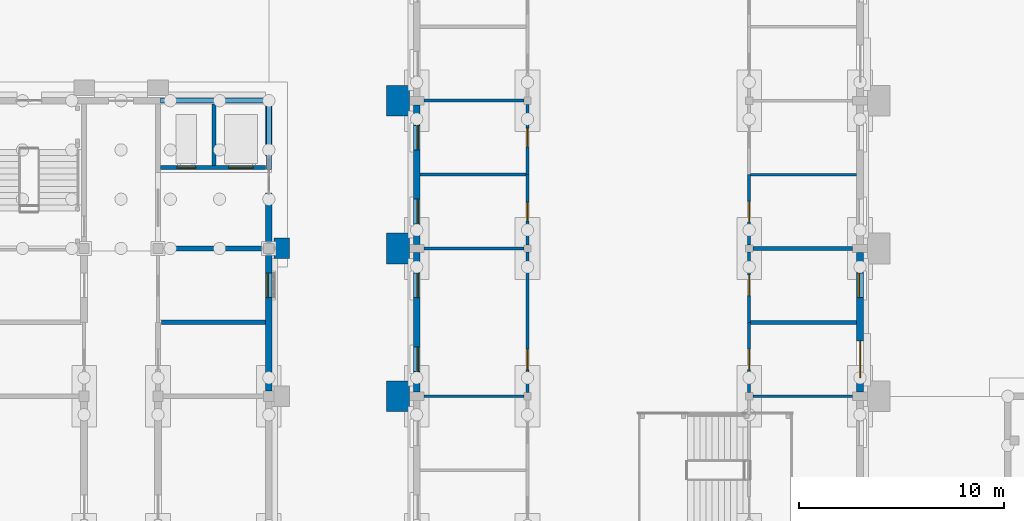
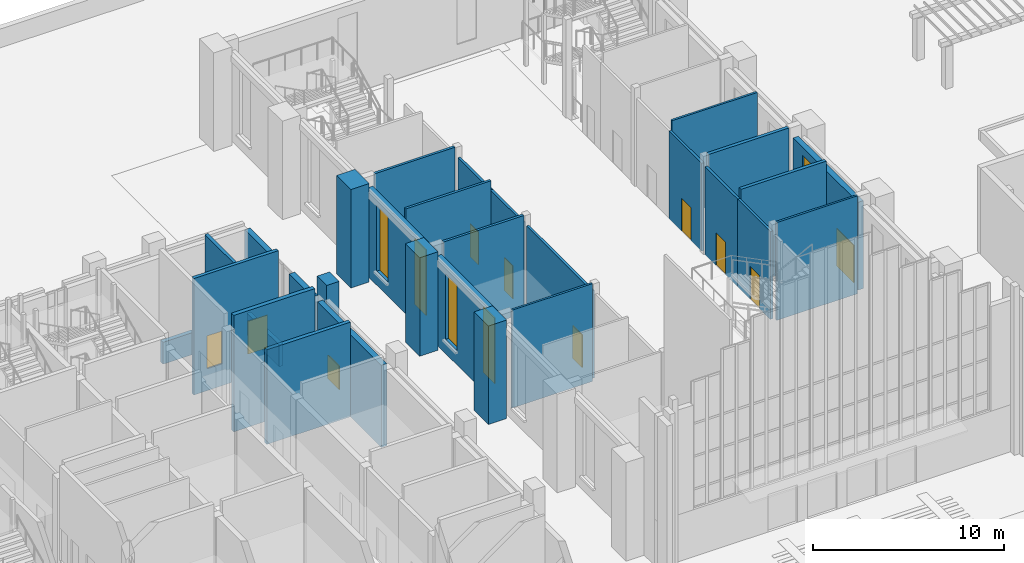
# One storey, part 37 of 84: 30 walls, 9 doors, 6 windows, 15 openings.
"""IFC4 building model written with IfcOpenShell, lengths in metres."""

import ifcopenshell
import ifcopenshell.guid

model = None  # the IFC model being written
_history = None  # IfcOwnerHistory: only IFC2X3 demands one
_inside = {}  # id of a spatial element -> (the spatial element, [elements in it])
_under = {}  # id of a project, library or spatial element -> (it, [spatial elements below it])
_declared = {}  # id of a project -> (the project, [libraries it declares])
_typed = {}  # id of a type object -> (the type object, [elements of that type])
_made_of = {}  # id of a material, layer set ... -> (it, [elements and type objects made of it])


def new_model(schema):
    """Start an empty IFC model of exactly this schema.

    Asked for "IFC4X3", IfcOpenShell would pick the latest addendum, in which some entities
    have other attributes; the version numbers below select the first issue.
    IFC2X3 requires an IfcOwnerHistory on every rooted entity: one is made here for all.
    """
    global model, _history
    if schema == "IFC4X3":
        model = ifcopenshell.file(schema_version=(4, 3, 0, 0))
    else:
        model = ifcopenshell.file(schema=schema)
    _inside.clear()
    _under.clear()
    _declared.clear()
    _typed.clear()
    _made_of.clear()
    _history = None
    if model.schema == "IFC2X3":
        org = make("IfcOrganization", Name="unknown")
        user = make(
            "IfcPersonAndOrganization",
            ThePerson=make("IfcPerson", FamilyName="unknown"),
            TheOrganization=org,
        )
        app = make(
            "IfcApplication",
            ApplicationDeveloper=org,
            Version="unknown",
            ApplicationFullName="unknown",
            ApplicationIdentifier="unknown",
        )
        _history = make(
            "IfcOwnerHistory",
            OwningUser=user,
            OwningApplication=app,
            ChangeAction="ADDED",
            CreationDate=0,
        )
    return model


def make(cls, **values):
    """One entity of the class cls with the attributes given. An attribute that is None is left unset."""
    return model.create_entity(
        cls, **{name: value for name, value in values.items() if value is not None}
    )


def rooted(cls, **values):
    """An entity with a GlobalId (a new one), such as an element, a storey or a relation."""
    return make(cls, GlobalId=ifcopenshell.guid.new(), OwnerHistory=_history, **values)


def si_unit(unit_type, name, prefix=None):
    """IfcSIUnit, for example si_unit("LENGTHUNIT", "METRE", prefix="MILLI")."""
    return make("IfcSIUnit", UnitType=unit_type, Prefix=prefix, Name=name)


def assignment(units):
    """IfcUnitAssignment: the units of a project."""
    return None if units is None else make("IfcUnitAssignment", Units=units)


def point(xyz):
    """IfcCartesianPoint."""
    return None if xyz is None else make("IfcCartesianPoint", Coordinates=xyz)


def direction(xyz):
    """IfcDirection."""
    return None if xyz is None else make("IfcDirection", DirectionRatios=xyz)


def frame(location, z_axis=None, x_axis=None):
    """IfcAxis2Placement3D, a coordinate frame: its origin and axes. An axis left out is left unset."""
    return make(
        "IfcAxis2Placement3D",
        Location=point(location),
        Axis=direction(z_axis),
        RefDirection=direction(x_axis),
    )


def frame_2d(location, x_axis=None):
    """IfcAxis2Placement2D, a coordinate frame in the plane: its origin and x axis."""
    return make(
        "IfcAxis2Placement2D", Location=point(location), RefDirection=direction(x_axis)
    )


def origin():
    """The frame at (0, 0, 0) with its axes left unset."""
    return frame((0.0, 0.0, 0.0))


def place(relative_to, where):
    """IfcLocalPlacement: puts the frame where relative to a parent placement (None: the world)."""
    return make(
        "IfcLocalPlacement", PlacementRelTo=relative_to, RelativePlacement=where
    )


def context(
    kind, dimensions, precision=None, world=None, true_north=None, identifier=None
):
    """IfcGeometricRepresentationContext, for example the 3D "Model" context."""
    return make(
        "IfcGeometricRepresentationContext",
        ContextIdentifier=identifier,
        ContextType=kind,
        CoordinateSpaceDimension=dimensions,
        Precision=precision,
        WorldCoordinateSystem=world,
        TrueNorth=true_north,
    )


def subcontext(parent, identifier, kind, view, scale=None):
    """IfcGeometricRepresentationSubContext, for example "Body" below "Model"."""
    return make(
        "IfcGeometricRepresentationSubContext",
        ContextIdentifier=identifier,
        ContextType=kind,
        ParentContext=parent,
        TargetScale=scale,
        TargetView=view,
    )


def project(units=None, contexts=None):
    """IfcProject with its units and contexts."""
    return rooted(
        "IfcProject",
        Name="project",
        RepresentationContexts=contexts,
        UnitsInContext=assignment(units),
    )


def spatial(cls, under=None, at=None, **own):
    """A site, building, storey or space (cls), placed at a placement, below another one or the project."""
    s = rooted(cls, ObjectPlacement=at, **own)
    if under is not None:
        _under.setdefault(under.id(), (under, []))[1].append(s)
    return s


def profile(cls, at=None, kind="AREA", **sizes):
    """A parametric profile (cls). Its sizes go by their IFC names, for example OverallWidth=200.0."""
    return make(cls, ProfileType=kind, Position=at, **sizes)


def rectangle(**sizes):
    """IfcRectangleProfileDef."""
    return profile("IfcRectangleProfileDef", **sizes)


def extrude(swept, where, along, depth):
    """IfcExtrudedAreaSolid: the profile swept, set in the frame where, extruded along a direction by depth."""
    return make(
        "IfcExtrudedAreaSolid",
        SweptArea=swept,
        Position=where,
        ExtrudedDirection=direction(along),
        Depth=depth,
    )


def shape(context_of_items, identifier, shape_type, items):
    """IfcShapeRepresentation: the items that make up one representation, for example the "Body"."""
    return make(
        "IfcShapeRepresentation",
        ContextOfItems=context_of_items,
        RepresentationIdentifier=identifier,
        RepresentationType=shape_type,
        Items=items,
    )


def material(Name=None, Category=None):
    """IfcMaterial."""
    return make("IfcMaterial", Name=Name, Category=Category)


def layer(
    of_material, thickness, ventilated=None, Name=None, Category=None, Priority=None
):
    """IfcMaterialLayer: one layer of a wall or slab, of a material (None: an air gap)."""
    return make(
        "IfcMaterialLayer",
        Material=of_material,
        LayerThickness=thickness,
        IsVentilated=ventilated,
        Name=Name,
        Category=Category,
        Priority=Priority,
    )


def layer_set(layers, Name=None):
    """IfcMaterialLayerSet."""
    return make("IfcMaterialLayerSet", MaterialLayers=layers, LayerSetName=Name)


def made_of(thing, what):
    """Note that an element or type object is made of a material, layer set ...; save() writes the relation."""
    if what is not None:
        _made_of.setdefault(what.id(), (what, []))[1].append(thing)
    return thing


def type_object(cls, material=None, **own):
    """A type object (cls), such as IfcWallType, which elements share."""
    return made_of(rooted(cls, **own), material)


def element(
    cls,
    number,
    at=None,
    inside=None,
    cuts=None,
    type_object=None,
    material=None,
    context=None,
    identifier="Body",
    shape_type=None,
    held_by="IfcProductDefinitionShape",
    body=None,
    shapes=None,
    **own,
):
    """One element of the class cls, such as IfcWall. Its Tag is "e" and its number.

    at: its placement. inside: the storey or other place that contains it. cuts: it is an
    opening in that element (IfcRelVoidsElement). A single representation is given by context,
    identifier, shape_type and body (its items); several are given by shapes. held_by: the class
    of the entity that holds the representations. save() writes the other relations.
    """
    e = rooted(cls, Tag="e%d" % number, ObjectPlacement=at, **own)
    if body is not None:
        shapes = [shape(context, identifier, shape_type, body)]
    if shapes is not None:
        e.Representation = make(held_by, Representations=shapes)
    if inside is not None:
        _inside.setdefault(inside.id(), (inside, []))[1].append(e)
    if cuts is not None:
        rooted(
            "IfcRelVoidsElement", RelatingBuildingElement=cuts, RelatedOpeningElement=e
        )
    if type_object is not None:
        _typed.setdefault(type_object.id(), (type_object, []))[1].append(e)
    return made_of(e, material)


def fill(opening, filler):
    """IfcRelFillsElement: the door or window that sits in an opening."""
    return rooted(
        "IfcRelFillsElement",
        RelatingOpeningElement=opening,
        RelatedBuildingElement=filler,
    )


def aggregate(whole, parts):
    """IfcRelAggregates: a whole, such as a stair, and the parts it consists of."""
    return rooted("IfcRelAggregates", RelatingObject=whole, RelatedObjects=parts)


def save(model, path):
    """Write the relations noted so far, then the file.

    IfcRelAggregates (storeys below a building ...), IfcRelContainedInSpatialStructure (elements
    in a storey), IfcRelDefinesByType, IfcRelAssociatesMaterial and IfcRelDeclares: one each for
    every whole, place, type object, material and project.
    """
    for whole, parts in _under.values():
        aggregate(whole, parts)
    for where, things in _inside.values():
        rooted(
            "IfcRelContainedInSpatialStructure",
            RelatedElements=things,
            RelatingStructure=where,
        )
    for kind, things in _typed.values():
        rooted("IfcRelDefinesByType", RelatedObjects=things, RelatingType=kind)
    for what, things in _made_of.values():
        rooted("IfcRelAssociatesMaterial", RelatedObjects=things, RelatingMaterial=what)
    for by, libraries in _declared.values():
        rooted("IfcRelDeclares", RelatingContext=by, RelatedDefinitions=libraries)
    model.write(path)


model = new_model("IFC4")

# Units and contexts
model_context = context("Model", 3, precision=1e-05, world=origin(), true_north=direction((0.0, 1.0)))
body_context = subcontext(model_context, "Body", "Model", "MODEL_VIEW")
ifc_project = project(units=[si_unit("LENGTHUNIT", "METRE"), si_unit("AREAUNIT", "SQUARE_METRE"), si_unit("VOLUMEUNIT", "CUBIC_METRE"), si_unit("PLANEANGLEUNIT", "RADIAN"), si_unit("MASSUNIT", "GRAM", prefix="KILO")], contexts=[model_context])

# Site, building, storey
site_placement = place(None, origin())
site = spatial("IfcSite", under=ifc_project, at=site_placement, CompositionType="ELEMENT")
building_placement = place(site_placement, origin())
building = spatial("IfcBuilding", under=site, at=building_placement, Name="Mazhai Court Health Centre", CompositionType="ELEMENT")
storey_placement = place(building_placement, origin())
storey = spatial("IfcBuildingStorey", under=building, at=storey_placement, Name="L00", CompositionType="ELEMENT", Elevation=0.0)

# Walls
ifc_material_1 = material(Name="Clay brick masonry", Category="masonry")
ifc_layer_1 = layer(ifc_material_1, 1.10009765625)
ifc_layer_set_1 = layer_set([ifc_layer_1], Name="BRICK BUTTRESS PIER 1100")
wall_type_1 = type_object("IfcWallType", Name="BRICK BUTTRESS PIER 1100", PredefinedType="SOLIDWALL", material=ifc_layer_set_1)
for number, where, z_axis, x_axis, name in (
    (1, (41.2900390625, 27.050048828125, 0.0), (0.0, 0.0, 1.0), (0.0, 1.0, 0.0), "EP-V1-L00-W2"),
    (2, (41.2900390625, 34.25, 0.0), (0.0, 0.0, 1.0), (0.0, 1.0, 0.0), "EP-V1-L00-W3"),
    (3, (41.2900390625, 41.449951171875, 0.0), (0.0, 0.0, 1.0), (0.0, 1.0, 0.0), "EP-V1-L00-W4"),
):
    element("IfcWall", number, at=place(storey_placement, frame(where, z_axis=z_axis, x_axis=x_axis)), inside=storey, type_object=wall_type_1, Name=name, PredefinedType="SOLIDWALL", context=body_context, shape_type="SweptSolid", body=[
        extrude(rectangle(XDim=1.5, YDim=1.10009765625, at=frame_2d((0.75, 0.0))), origin(), (0.0, 0.0, 1.0), 6.300048828125),
    ])
ifc_material_2 = material(Name="Clay brick masonry", Category="masonry")
ifc_layer_2 = layer(ifc_material_2, 0.75)
ifc_layer_set_2 = layer_set([ifc_layer_2], Name="BRICK PIER 750")
wall_type_2 = type_object("IfcWallType", Name="BRICK PIER 750", PredefinedType="SOLIDWALL", material=ifc_layer_set_2)
wall_1_placement = place(storey_placement, frame((35.625, 35.5, 0.0), z_axis=(0.0, 0.0, 1.0), x_axis=(0.0, -1.0, 0.0)))
element("IfcWall", 4, at=wall_1_placement, inside=storey, type_object=wall_type_2, Name="EP-V5-L00-B4", PredefinedType="SOLIDWALL", context=body_context, shape_type="SweptSolid", body=[
    extrude(rectangle(XDim=1.0, YDim=0.75, at=frame_2d((0.5, 0.0))), origin(), (0.0, 0.0, 1.0), 6.300048828125),
])
ifc_material_3 = material(Name="Clay brick masonry", Category="masonry")
ifc_layer_3 = layer(ifc_material_3, 0.22998046875)
ifc_layer_set_3 = layer_set([ifc_layer_3], Name="BRICK WALL 230 SHIELDING EI120")
wall_type_3 = type_object("IfcWallType", Name="BRICK WALL 230 SHIELDING EI120", PredefinedType="SOLIDWALL", material=ifc_layer_set_3)
wall_2_placement = place(storey_placement, frame((34.8349609375, 31.39990234375, 0.0), z_axis=(0.0, 0.0, 1.0), x_axis=(-1.0, 0.0, 0.0)))
element("IfcWall", 5, at=wall_2_placement, inside=storey, type_object=wall_type_3, Name="wall-V5-L00-B0-cross-4a", PredefinedType="SOLIDWALL", context=body_context, shape_type="SweptSolid", body=[
    extrude(rectangle(XDim=5.06005859375, YDim=0.22998046875, at=frame_2d((2.530029296875, 0.0))), origin(), (0.0, 0.0, 1.0), 6.050048828125),
])

# Wall, opening, window
ifc_material_4 = material(Name="Clay brick masonry", Category="masonry")
ifc_layer_4 = layer(ifc_material_4, 0.330078125)
ifc_layer_set_4 = layer_set([ifc_layer_4], Name="BRICK WALL 330 EXTERNAL")
wall_type_4 = type_object("IfcWallType", Name="BRICK WALL 330 EXTERNAL", PredefinedType="SOLIDWALL", material=ifc_layer_set_4)
wall_3_placement = place(storey_placement, frame((35.0, 34.75, 0.0), z_axis=(0.0, 0.0, 1.0), x_axis=(0.0, -1.0, 0.0)))
wall_3 = element("IfcWall", 6, at=wall_3_placement, inside=storey, type_object=wall_type_4, Name="EW-V5-L00-B3p0", PredefinedType="SOLIDWALL", context=body_context, shape_type="SweptSolid", body=[
    extrude(rectangle(XDim=6.699951171875, YDim=0.330078125, at=frame_2d((3.35009765625, 0.0))), origin(), (0.0, 0.0, 1.0), 5.25),
])
opening_1_placement = place(wall_3_placement, frame((0.949951171875, 0.0, 0.89990234375)))
opening_1 = element("IfcOpeningElement", 7, at=opening_1_placement, cuts=wall_3, Name="Opening W12", PredefinedType="OPENING", context=body_context, shape_type="SweptSolid", body=[
    extrude(rectangle(XDim=1.199951171875, YDim=1.5, at=frame_2d((0.60009765625, 0.75))), frame((0.0, 0.175048828125, 0.0), z_axis=(0.0, -1.0, 0.0), x_axis=(1.0, 0.0, 0.0)), (0.0, 0.0, 1.0), 0.35009765625),
])
ifc_material_5 = material(Name="Teak timber frame, glazed", Category="wood")
window_type_1 = type_object("IfcWindowType", Name="WINDOW OFFICE 1200x1500", PartitioningType="SINGLE_PANEL", PredefinedType="WINDOW", material=ifc_material_5)
window_1_placement = place(opening_1_placement, origin())
window_1 = element("IfcWindow", 8, at=window_1_placement, inside=storey, type_object=window_type_1, Name="W12 WN-V5-L00-B31", OverallHeight=1.5, OverallWidth=1.199951171875, PartitioningType="SINGLE_PANEL", PredefinedType="WINDOW", context=body_context, shape_type="SweptSolid", body=[
    extrude(rectangle(XDim=1.199951171875, YDim=1.5, at=frame_2d((0.60009765625, 0.75))), frame((0.0, -0.030029296875, 0.0), z_axis=(0.0, -1.0, 0.0), x_axis=(1.0, 0.0, 0.0)), (0.0, 0.0, 1.0), 0.06005859375),
])
fill(opening_1, window_1)

# Walls
wall_4_placement = place(storey_placement, frame((35.0, 37.699951171875, 0.0), z_axis=(0.0, 0.0, 1.0), x_axis=(0.0, -1.0, 0.0)))
element("IfcWall", 9, at=wall_4_placement, inside=storey, type_object=wall_type_4, Name="EW-V5-L00-B4a", PredefinedType="SOLIDWALL", context=body_context, shape_type="SweptSolid", body=[
    extrude(rectangle(XDim=2.449951171875, YDim=0.330078125, at=frame_2d((1.22509765625, 0.0))), origin(), (0.0, 0.0, 1.0), 5.25),
])
wall_5_placement = place(storey_placement, frame((35.0, 42.364990234375, 0.0), z_axis=(0.0, 0.0, 1.0), x_axis=(0.0, -1.0, 0.0)))
element("IfcWall", 10, at=wall_5_placement, inside=storey, type_object=wall_type_4, Name="EW-V5-L00-B4b", PredefinedType="SOLIDWALL", context=body_context, shape_type="SweptSolid", body=[
    extrude(rectangle(XDim=2.864990234375, YDim=0.330078125, at=frame_2d((1.4326171875, 0.0))), origin(), (0.0, 0.0, 1.0), 5.25),
])

# Wall, openings, windows
wall_6_placement = place(storey_placement, frame((42.199951171875, 28.0, 0.0), z_axis=(0.0, 0.0, 1.0), x_axis=(0.0, 1.0, 0.0)))
wall_6 = element("IfcWall", 11, at=wall_6_placement, inside=storey, type_object=wall_type_4, Name="EW-V1-L00-W2", PredefinedType="SOLIDWALL", context=body_context, shape_type="SweptSolid", body=[
    extrude(rectangle(XDim=6.800048828125, YDim=0.330078125, at=frame_2d((3.39990234375, 0.0))), origin(), (0.0, 0.0, 1.0), 5.6201171875),
])
opening_2_placement = place(wall_6_placement, frame((1.0, 0.0, 0.89990234375)))
opening_2 = element("IfcOpeningElement", 12, at=opening_2_placement, cuts=wall_6, Name="Opening W3", PredefinedType="OPENING", context=body_context, shape_type="SweptSolid", body=[
    extrude(rectangle(XDim=1.199951171875, YDim=4.199951171875, at=frame_2d((0.60009765625, 2.10009765625))), frame((0.0, 0.175048828125, 0.0), z_axis=(0.0, -1.0, 0.0), x_axis=(1.0, 0.0, 0.0)), (0.0, 0.0, 1.0), 0.35009765625),
])
opening_3_placement = place(wall_6_placement, frame((4.60009765625, 0.0, 0.89990234375)))
opening_3 = element("IfcOpeningElement", 13, at=opening_3_placement, cuts=wall_6, Name="Opening W3", PredefinedType="OPENING", context=body_context, shape_type="SweptSolid", body=[
    extrude(rectangle(XDim=1.199951171875, YDim=4.199951171875, at=frame_2d((0.60009765625, 2.10009765625))), frame((0.0, 0.175048828125, 0.0), z_axis=(0.0, -1.0, 0.0), x_axis=(1.0, 0.0, 0.0)), (0.0, 0.0, 1.0), 0.35009765625),
])
ifc_material_6 = material(Name="Teak timber frame, glazed", Category="wood")
window_type_2 = type_object("IfcWindowType", Name="WINDOW HALL 1200x4200", PartitioningType="SINGLE_PANEL", PredefinedType="WINDOW", material=ifc_material_6)
window_2_placement = place(opening_2_placement, origin())
window_2 = element("IfcWindow", 14, at=window_2_placement, inside=storey, type_object=window_type_2, Name="W3 WN-V1-L00-W2a", OverallHeight=4.199951171875, OverallWidth=1.199951171875, PartitioningType="SINGLE_PANEL", PredefinedType="WINDOW", context=body_context, shape_type="SweptSolid", body=[
    extrude(rectangle(XDim=1.199951171875, YDim=4.199951171875, at=frame_2d((0.60009765625, 2.10009765625))), frame((0.0, -0.030029296875, 0.0), z_axis=(0.0, -1.0, 0.0), x_axis=(1.0, 0.0, 0.0)), (0.0, 0.0, 1.0), 0.06005859375),
])
fill(opening_2, window_2)
window_3_placement = place(opening_3_placement, origin())
window_3 = element("IfcWindow", 15, at=window_3_placement, inside=storey, type_object=window_type_2, Name="W3 WN-V1-L00-W2b", OverallHeight=4.199951171875, OverallWidth=1.199951171875, PartitioningType="SINGLE_PANEL", PredefinedType="WINDOW", context=body_context, shape_type="SweptSolid", body=[
    extrude(rectangle(XDim=1.199951171875, YDim=4.199951171875, at=frame_2d((0.60009765625, 2.10009765625))), frame((0.0, -0.030029296875, 0.0), z_axis=(0.0, -1.0, 0.0), x_axis=(1.0, 0.0, 0.0)), (0.0, 0.0, 1.0), 0.06005859375),
])
fill(opening_3, window_3)

wall_7_placement = place(storey_placement, frame((42.199951171875, 35.199951171875, 0.0), z_axis=(0.0, 0.0, 1.0), x_axis=(0.0, 1.0, 0.0)))
wall_7 = element("IfcWall", 16, at=wall_7_placement, inside=storey, type_object=wall_type_4, Name="EW-V1-L00-W3", PredefinedType="SOLIDWALL", context=body_context, shape_type="SweptSolid", body=[
    extrude(rectangle(XDim=6.800048828125, YDim=0.330078125, at=frame_2d((3.39990234375, 0.0))), origin(), (0.0, 0.0, 1.0), 5.6201171875),
])
opening_4_placement = place(wall_7_placement, frame((1.0, 0.0, 0.89990234375)))
opening_4 = element("IfcOpeningElement", 17, at=opening_4_placement, cuts=wall_7, Name="Opening W3", PredefinedType="OPENING", context=body_context, shape_type="SweptSolid", body=[
    extrude(rectangle(XDim=1.199951171875, YDim=4.199951171875, at=frame_2d((0.60009765625, 2.10009765625))), frame((0.0, 0.175048828125, 0.0), z_axis=(0.0, -1.0, 0.0), x_axis=(1.0, 0.0, 0.0)), (0.0, 0.0, 1.0), 0.35009765625),
])
opening_5_placement = place(wall_7_placement, frame((4.60009765625, 0.0, 0.89990234375)))
opening_5 = element("IfcOpeningElement", 18, at=opening_5_placement, cuts=wall_7, Name="Opening W3", PredefinedType="OPENING", context=body_context, shape_type="SweptSolid", body=[
    extrude(rectangle(XDim=1.199951171875, YDim=4.199951171875, at=frame_2d((0.60009765625, 2.10009765625))), frame((0.0, 0.175048828125, 0.0), z_axis=(0.0, -1.0, 0.0), x_axis=(1.0, 0.0, 0.0)), (0.0, 0.0, 1.0), 0.35009765625),
])
window_4_placement = place(opening_4_placement, origin())
window_4 = element("IfcWindow", 19, at=window_4_placement, inside=storey, type_object=window_type_2, Name="W3 WN-V1-L00-W3a", OverallHeight=4.199951171875, OverallWidth=1.199951171875, PartitioningType="SINGLE_PANEL", PredefinedType="WINDOW", context=body_context, shape_type="SweptSolid", body=[
    extrude(rectangle(XDim=1.199951171875, YDim=4.199951171875, at=frame_2d((0.60009765625, 2.10009765625))), frame((0.0, -0.030029296875, 0.0), z_axis=(0.0, -1.0, 0.0), x_axis=(1.0, 0.0, 0.0)), (0.0, 0.0, 1.0), 0.06005859375),
])
fill(opening_4, window_4)
window_5_placement = place(opening_5_placement, origin())
window_5 = element("IfcWindow", 20, at=window_5_placement, inside=storey, type_object=window_type_2, Name="W3 WN-V1-L00-W3b", OverallHeight=4.199951171875, OverallWidth=1.199951171875, PartitioningType="SINGLE_PANEL", PredefinedType="WINDOW", context=body_context, shape_type="SweptSolid", body=[
    extrude(rectangle(XDim=1.199951171875, YDim=4.199951171875, at=frame_2d((0.60009765625, 2.10009765625))), frame((0.0, -0.030029296875, 0.0), z_axis=(0.0, -1.0, 0.0), x_axis=(1.0, 0.0, 0.0)), (0.0, 0.0, 1.0), 0.06005859375),
])
fill(opening_5, window_5)

# Wall, openings, door, window
wall_8_placement = place(storey_placement, frame((63.800048828125, 34.800048828125, 0.0), z_axis=(0.0, 0.0, 1.0), x_axis=(0.0, -1.0, 0.0)))
wall_8 = element("IfcWall", 21, at=wall_8_placement, inside=storey, type_object=wall_type_4, Name="EW-V1-L00-E2", PredefinedType="SOLIDWALL", context=body_context, shape_type="SweptSolid", body=[
    extrude(rectangle(XDim=6.800048828125, YDim=0.330078125, at=frame_2d((3.39990234375, 0.0))), origin(), (0.0, 0.0, 1.0), 5.6201171875),
])
opening_6_placement = place(wall_8_placement, frame((4.300048828125, 0.0, 0.0)))
opening_6 = element("IfcOpeningElement", 22, at=opening_6_placement, cuts=wall_8, Name="Opening D-L00-062", PredefinedType="OPENING", context=body_context, shape_type="SweptSolid", body=[
    extrude(rectangle(XDim=1.800048828125, YDim=2.39990234375, at=frame_2d((0.89990234375, 1.199951171875))), frame((0.0, 0.175048828125, 0.0), z_axis=(0.0, -1.0, 0.0), x_axis=(1.0, 0.0, 0.0)), (0.0, 0.0, 1.0), 0.35009765625),
])
opening_7_placement = place(wall_8_placement, frame((1.0, 0.0, 0.89990234375)))
opening_7 = element("IfcOpeningElement", 23, at=opening_7_placement, cuts=wall_8, Name="Opening W3", PredefinedType="OPENING", context=body_context, shape_type="SweptSolid", body=[
    extrude(rectangle(XDim=1.199951171875, YDim=4.199951171875, at=frame_2d((0.60009765625, 2.10009765625))), frame((0.0, 0.175048828125, 0.0), z_axis=(0.0, -1.0, 0.0), x_axis=(1.0, 0.0, 0.0)), (0.0, 0.0, 1.0), 0.35009765625),
])
ifc_material_7 = material(Name="Teak timber door, glazed", Category="wood")
door_type_1 = type_object("IfcDoorType", Name="DOOR ENTRANCE DOUBLE 1800x2400", OperationType="DOUBLE_DOOR_SINGLE_SWING", PredefinedType="DOOR", material=ifc_material_7)
door_1_placement = place(opening_6_placement, origin())
door_1 = element("IfcDoor", 24, at=door_1_placement, inside=storey, type_object=door_type_1, Name="L00-E11", OperationType="DOUBLE_DOOR_SINGLE_SWING", OverallHeight=2.39990234375, OverallWidth=1.800048828125, PredefinedType="DOOR", context=body_context, shape_type="SweptSolid", body=[
    extrude(rectangle(XDim=1.800048828125, YDim=2.39990234375, at=frame_2d((0.89990234375, 1.199951171875))), frame((0.0, 0.02490234375, 0.0), z_axis=(0.0, -1.0, 0.0), x_axis=(1.0, 0.0, 0.0)), (0.0, 0.0, 1.0), 0.050048828125),
])
fill(opening_6, door_1)
window_6_placement = place(opening_7_placement, origin())
window_6 = element("IfcWindow", 25, at=window_6_placement, inside=storey, type_object=window_type_2, Name="W3 WN-V1-L00-E2b", OverallHeight=4.199951171875, OverallWidth=1.199951171875, PartitioningType="SINGLE_PANEL", PredefinedType="WINDOW", context=body_context, shape_type="SweptSolid", body=[
    extrude(rectangle(XDim=1.199951171875, YDim=4.199951171875, at=frame_2d((0.60009765625, 2.10009765625))), frame((0.0, -0.030029296875, 0.0), z_axis=(0.0, -1.0, 0.0), x_axis=(1.0, 0.0, 0.0)), (0.0, 0.0, 1.0), 0.06005859375),
])
fill(opening_7, window_6)

# Walls
ifc_material_8 = material(Name="Gypsum plasterboard partition")
ifc_layer_5 = layer(ifc_material_8, 0.125)
ifc_layer_set_5 = layer_set([ifc_layer_5], Name="PARTITION 125 STUD EI30")
wall_type_5 = type_object("IfcWallType", Name="PARTITION 125 STUD EI30", PredefinedType="PARTITIONING", material=ifc_layer_set_5)
for number, where, z_axis, x_axis, name in (
    (26, (42.56005859375, 27.800048828125, 0.0), (0.0, 0.0, 1.0), (1.0, 0.0, 0.0), "wall-V1-L00-W-cross-3a"),
    (27, (63.43994140625, 27.800048828125, 0.0), (0.0, 0.0, 1.0), (-1.0, 0.0, 0.0), "wall-V1-L00-E-cross-3a"),
):
    element("IfcWall", number, at=place(storey_placement, frame(where, z_axis=z_axis, x_axis=x_axis)), inside=storey, type_object=wall_type_5, Name=name, PredefinedType="PARTITIONING", context=body_context, shape_type="SweptSolid", body=[
        extrude(rectangle(XDim=4.85986328125, YDim=0.125, at=frame_2d((2.429931640625, 0.0))), origin(), (0.0, 0.0, 1.0), 6.260009765625),
    ])
wall_9_placement = place(storey_placement, frame((63.635009765625, 38.60009765625, 0.0), z_axis=(0.0, 0.0, 1.0), x_axis=(-1.0, 0.0, 0.0)))
element("IfcWall", 28, at=wall_9_placement, inside=storey, type_object=wall_type_5, Name="wall-V1-L00-E-cross-6a", PredefinedType="PARTITIONING", context=body_context, shape_type="SweptSolid", body=[
    extrude(rectangle(XDim=5.159912109375, YDim=0.125, at=frame_2d((2.580078125, 0.0))), origin(), (0.0, 0.0, 1.0), 6.260009765625),
])

# Wall, opening, door
ifc_material_9 = material(Name="Gypsum plasterboard partition")
ifc_layer_6 = layer(ifc_material_9, 0.14990234375)
ifc_layer_set_6 = layer_set([ifc_layer_6], Name="PARTITION 150 CORRIDOR EI60")
wall_type_6 = type_object("IfcWallType", Name="PARTITION 150 CORRIDOR EI60", PredefinedType="PARTITIONING", material=ifc_layer_set_6)
wall_10_placement = place(storey_placement, frame((47.60009765625, 27.97998046875, 0.0), z_axis=(0.0, 0.0, 1.0), x_axis=(0.0, 1.0, 0.0)))
wall_10 = element("IfcWall", 29, at=wall_10_placement, inside=storey, type_object=wall_type_6, Name="wall-V1-L00-W-corr-3a", PredefinedType="PARTITIONING", context=body_context, shape_type="SweptSolid", body=[
    extrude(rectangle(XDim=6.840087890625, YDim=0.14990234375, at=frame_2d((3.419921875, 0.0))), origin(), (0.0, 0.0, 1.0), 5.6201171875),
])
opening_8_placement = place(wall_10_placement, frame((1.1201171875, 0.0, 0.0)))
opening_8 = element("IfcOpeningElement", 30, at=opening_8_placement, cuts=wall_10, Name="Opening D-L00-044", PredefinedType="OPENING", context=body_context, shape_type="SweptSolid", body=[
    extrude(rectangle(XDim=1.0, YDim=2.10009765625, at=frame_2d((0.5, 1.050048828125))), frame((0.0, 0.0849609375, 0.0), z_axis=(0.0, -1.0, 0.0), x_axis=(1.0, 0.0, 0.0)), (0.0, 0.0, 1.0), 0.169921875),
])
ifc_material_10 = material(Name="Hardwood door leaf", Category="wood")
door_type_2 = type_object("IfcDoorType", Name="DOOR 1000x2100 FD30S SINGLE", OperationType="NOTDEFINED", PredefinedType="DOOR", material=ifc_material_10)
door_2_placement = place(opening_8_placement, origin())
door_2 = element("IfcDoor", 31, at=door_2_placement, inside=storey, type_object=door_type_2, Name="door-V1-L00-W-pharmacy-dispensing", OperationType="SINGLE_SWING_LEFT", OverallHeight=2.10009765625, OverallWidth=1.0, PredefinedType="DOOR", context=body_context, shape_type="SweptSolid", body=[
    extrude(rectangle(XDim=1.0, YDim=2.10009765625, at=frame_2d((0.5, 1.050048828125))), frame((0.0, 0.02490234375, 0.0), z_axis=(0.0, -1.0, 0.0), x_axis=(1.0, 0.0, 0.0)), (0.0, 0.0, 1.0), 0.050048828125),
])
fill(opening_8, door_2)

wall_11_placement = place(storey_placement, frame((47.60009765625, 38.60009765625, 0.0), z_axis=(0.0, 0.0, 1.0), x_axis=(0.0, -1.0, 0.0)))
wall_11 = element("IfcWall", 32, at=wall_11_placement, inside=storey, type_object=wall_type_6, Name="wall-V1-L00-W-corr-4a", PredefinedType="PARTITIONING", context=body_context, shape_type="SweptSolid", body=[
    extrude(rectangle(XDim=3.420166015625, YDim=0.14990234375, at=frame_2d((1.7099609375, 0.0))), origin(), (0.0, 0.0, 1.0), 5.6201171875),
])
opening_9_placement = place(wall_11_placement, frame((1.35009765625, 0.0, 0.0)))
opening_9 = element("IfcOpeningElement", 33, at=opening_9_placement, cuts=wall_11, Name="Opening D-L00-045", PredefinedType="OPENING", context=body_context, shape_type="SweptSolid", body=[
    extrude(rectangle(XDim=0.89990234375, YDim=2.10009765625, at=frame_2d((0.449951171875, 1.050048828125))), frame((0.0, 0.0849609375, 0.0), z_axis=(0.0, -1.0, 0.0), x_axis=(1.0, 0.0, 0.0)), (0.0, 0.0, 1.0), 0.169921875),
])
ifc_material_11 = material(Name="Hardwood door leaf", Category="wood")
door_type_3 = type_object("IfcDoorType", Name="DOOR 900x2100 FD30S SINGLE", OperationType="NOTDEFINED", PredefinedType="DOOR", material=ifc_material_11)
door_3_placement = place(opening_9_placement, origin())
door_3 = element("IfcDoor", 34, at=door_3_placement, inside=storey, type_object=door_type_3, Name="door-V1-L00-W-public-wc-male", OperationType="SINGLE_SWING_RIGHT", OverallHeight=2.10009765625, OverallWidth=0.89990234375, PredefinedType="DOOR", context=body_context, shape_type="SweptSolid", body=[
    extrude(rectangle(XDim=0.89990234375, YDim=2.10009765625, at=frame_2d((0.449951171875, 1.050048828125))), frame((0.0, 0.02490234375, 0.0), z_axis=(0.0, -1.0, 0.0), x_axis=(1.0, 0.0, 0.0)), (0.0, 0.0, 1.0), 0.050048828125),
])
fill(opening_9, door_3)

wall_12_placement = place(storey_placement, frame((47.60009765625, 42.02001953125, 0.0), z_axis=(0.0, 0.0, 1.0), x_axis=(0.0, -1.0, 0.0)))
wall_12 = element("IfcWall", 35, at=wall_12_placement, inside=storey, type_object=wall_type_6, Name="wall-V1-L00-W-corr-5a", PredefinedType="PARTITIONING", context=body_context, shape_type="SweptSolid", body=[
    extrude(rectangle(XDim=3.419921875, YDim=0.14990234375, at=frame_2d((1.7099609375, 0.0))), origin(), (0.0, 0.0, 1.0), 5.6201171875),
])
opening_10_placement = place(wall_12_placement, frame((1.169921875, 0.0, 0.0)))
opening_10 = element("IfcOpeningElement", 36, at=opening_10_placement, cuts=wall_12, Name="Opening D-L00-046", PredefinedType="OPENING", context=body_context, shape_type="SweptSolid", body=[
    extrude(rectangle(XDim=0.89990234375, YDim=2.10009765625, at=frame_2d((0.449951171875, 1.050048828125))), frame((0.0, 0.0849609375, 0.0), z_axis=(0.0, -1.0, 0.0), x_axis=(1.0, 0.0, 0.0)), (0.0, 0.0, 1.0), 0.169921875),
])
door_4_placement = place(opening_10_placement, origin())
door_4 = element("IfcDoor", 37, at=door_4_placement, inside=storey, type_object=door_type_3, Name="door-V1-L00-W-public-wc-female", OperationType="SINGLE_SWING_LEFT", OverallHeight=2.10009765625, OverallWidth=0.89990234375, PredefinedType="DOOR", context=body_context, shape_type="SweptSolid", body=[
    extrude(rectangle(XDim=0.89990234375, YDim=2.10009765625, at=frame_2d((0.449951171875, 1.050048828125))), frame((0.0, 0.02490234375, 0.0), z_axis=(0.0, -1.0, 0.0), x_axis=(1.0, 0.0, 0.0)), (0.0, 0.0, 1.0), 0.050048828125),
])
fill(opening_10, door_4)

wall_13_placement = place(storey_placement, frame((58.39990234375, 31.39990234375, 0.0), z_axis=(0.0, 0.0, 1.0), x_axis=(0.0, -1.0, 0.0)))
wall_13 = element("IfcWall", 38, at=wall_13_placement, inside=storey, type_object=wall_type_6, Name="wall-V1-L00-E-corr-3a", PredefinedType="PARTITIONING", context=body_context, shape_type="SweptSolid", body=[
    extrude(rectangle(XDim=3.419921875, YDim=0.14990234375, at=frame_2d((1.7099609375, 0.0))), origin(), (0.0, 0.0, 1.0), 5.6201171875),
])
opening_11_placement = place(wall_13_placement, frame((1.300048828125, 0.0, 0.0)))
opening_11 = element("IfcOpeningElement", 39, at=opening_11_placement, cuts=wall_13, Name="Opening D-L00-056", PredefinedType="OPENING", context=body_context, shape_type="SweptSolid", body=[
    extrude(rectangle(XDim=1.0, YDim=2.10009765625, at=frame_2d((0.5, 1.050048828125))), frame((0.0, 0.0849609375, 0.0), z_axis=(0.0, -1.0, 0.0), x_axis=(1.0, 0.0, 0.0)), (0.0, 0.0, 1.0), 0.169921875),
])
door_5_placement = place(opening_11_placement, origin())
door_5 = element("IfcDoor", 40, at=door_5_placement, inside=storey, type_object=door_type_2, Name="door-V1-L00-E-patient-welfare-office", OperationType="SINGLE_SWING_RIGHT", OverallHeight=2.10009765625, OverallWidth=1.0, PredefinedType="DOOR", context=body_context, shape_type="SweptSolid", body=[
    extrude(rectangle(XDim=1.0, YDim=2.10009765625, at=frame_2d((0.5, 1.050048828125))), frame((0.0, 0.02490234375, 0.0), z_axis=(0.0, -1.0, 0.0), x_axis=(1.0, 0.0, 0.0)), (0.0, 0.0, 1.0), 0.050048828125),
])
fill(opening_11, door_5)

wall_14_placement = place(storey_placement, frame((58.39990234375, 34.820068359375, 0.0), z_axis=(0.0, 0.0, 1.0), x_axis=(0.0, -1.0, 0.0)))
wall_14 = element("IfcWall", 41, at=wall_14_placement, inside=storey, type_object=wall_type_6, Name="wall-V1-L00-E-corr-4a", PredefinedType="PARTITIONING", context=body_context, shape_type="SweptSolid", body=[
    extrude(rectangle(XDim=3.420166015625, YDim=0.14990234375, at=frame_2d((1.7099609375, 0.0))), origin(), (0.0, 0.0, 1.0), 5.6201171875),
])
opening_12_placement = place(wall_14_placement, frame((1.1201171875, 0.0, 0.0)))
opening_12 = element("IfcOpeningElement", 42, at=opening_12_placement, cuts=wall_14, Name="Opening D-L00-057", PredefinedType="OPENING", context=body_context, shape_type="SweptSolid", body=[
    extrude(rectangle(XDim=1.0, YDim=2.10009765625, at=frame_2d((0.5, 1.050048828125))), frame((0.0, 0.0849609375, 0.0), z_axis=(0.0, -1.0, 0.0), x_axis=(1.0, 0.0, 0.0)), (0.0, 0.0, 1.0), 0.169921875),
])
door_6_placement = place(opening_12_placement, origin())
door_6 = element("IfcDoor", 43, at=door_6_placement, inside=storey, type_object=door_type_2, Name="door-V1-L00-E-interview-room", OperationType="SINGLE_SWING_LEFT", OverallHeight=2.10009765625, OverallWidth=1.0, PredefinedType="DOOR", context=body_context, shape_type="SweptSolid", body=[
    extrude(rectangle(XDim=1.0, YDim=2.10009765625, at=frame_2d((0.5, 1.050048828125))), frame((0.0, 0.02490234375, 0.0), z_axis=(0.0, -1.0, 0.0), x_axis=(1.0, 0.0, 0.0)), (0.0, 0.0, 1.0), 0.050048828125),
])
fill(opening_12, door_6)

wall_15_placement = place(storey_placement, frame((58.39990234375, 38.60009765625, 0.0), z_axis=(0.0, 0.0, 1.0), x_axis=(0.0, -1.0, 0.0)))
wall_15 = element("IfcWall", 44, at=wall_15_placement, inside=storey, type_object=wall_type_6, Name="wall-V1-L00-E-corr-5a", PredefinedType="PARTITIONING", context=body_context, shape_type="SweptSolid", body=[
    extrude(rectangle(XDim=3.420166015625, YDim=0.14990234375, at=frame_2d((1.7099609375, 0.0))), origin(), (0.0, 0.0, 1.0), 5.6201171875),
])
opening_13_placement = place(wall_15_placement, frame((1.300048828125, 0.0, 0.0)))
opening_13 = element("IfcOpeningElement", 45, at=opening_13_placement, cuts=wall_15, Name="Opening D-L00-058", PredefinedType="OPENING", context=body_context, shape_type="SweptSolid", body=[
    extrude(rectangle(XDim=1.0, YDim=2.10009765625, at=frame_2d((0.5, 1.050048828125))), frame((0.0, 0.0849609375, 0.0), z_axis=(0.0, -1.0, 0.0), x_axis=(1.0, 0.0, 0.0)), (0.0, 0.0, 1.0), 0.169921875),
])
door_7_placement = place(opening_13_placement, origin())
door_7 = element("IfcDoor", 46, at=door_7_placement, inside=storey, type_object=door_type_2, Name="door-V1-L00-E-nurse-screening-room-1", OperationType="SINGLE_SWING_RIGHT", OverallHeight=2.10009765625, OverallWidth=1.0, PredefinedType="DOOR", context=body_context, shape_type="SweptSolid", body=[
    extrude(rectangle(XDim=1.0, YDim=2.10009765625, at=frame_2d((0.5, 1.050048828125))), frame((0.0, 0.02490234375, 0.0), z_axis=(0.0, -1.0, 0.0), x_axis=(1.0, 0.0, 0.0)), (0.0, 0.0, 1.0), 0.050048828125),
])
fill(opening_13, door_7)

# Walls
ifc_material_12 = material(Name="Gypsum plasterboard partition")
ifc_layer_7 = layer(ifc_material_12, 0.14990234375)
ifc_layer_set_7 = layer_set([ifc_layer_7], Name="PARTITION 150 WET AREA EI30")
wall_type_7 = type_object("IfcWallType", Name="PARTITION 150 WET AREA EI30", PredefinedType="PARTITIONING", material=ifc_layer_set_7)
wall_16_placement = place(storey_placement, frame((42.56005859375, 35.0, 0.0), z_axis=(0.0, 0.0, 1.0), x_axis=(1.0, 0.0, 0.0)))
element("IfcWall", 47, at=wall_16_placement, inside=storey, type_object=wall_type_7, Name="wall-V1-L00-W-cross-4a", PredefinedType="PARTITIONING", context=body_context, shape_type="SweptSolid", body=[
    extrude(rectangle(XDim=4.85986328125, YDim=0.14990234375, at=frame_2d((2.429931640625, 0.0))), origin(), (0.0, 0.0, 1.0), 6.260009765625),
])
wall_17_placement = place(storey_placement, frame((42.364990234375, 38.60009765625, 0.0), z_axis=(0.0, 0.0, 1.0), x_axis=(1.0, 0.0, 0.0)))
element("IfcWall", 48, at=wall_17_placement, inside=storey, type_object=wall_type_7, Name="wall-V1-L00-W-cross-5a", PredefinedType="PARTITIONING", context=body_context, shape_type="SweptSolid", body=[
    extrude(rectangle(XDim=5.159912109375, YDim=0.14990234375, at=frame_2d((2.580078125, 0.0))), origin(), (0.0, 0.0, 1.0), 6.260009765625),
])
wall_18_placement = place(storey_placement, frame((42.56005859375, 42.199951171875, 0.0), z_axis=(0.0, 0.0, 1.0), x_axis=(1.0, 0.0, 0.0)))
element("IfcWall", 49, at=wall_18_placement, inside=storey, type_object=wall_type_7, Name="wall-V1-L00-W-cross-6a", PredefinedType="PARTITIONING", context=body_context, shape_type="SweptSolid", body=[
    extrude(rectangle(XDim=4.85986328125, YDim=0.14990234375, at=frame_2d((2.429931640625, 0.0))), origin(), (0.0, 0.0, 1.0), 6.260009765625),
])
ifc_material_13 = material(Name="Gypsum plasterboard partition")
ifc_layer_8 = layer(ifc_material_13, 0.199951171875)
ifc_layer_set_8 = layer_set([ifc_layer_8], Name="PARTITION 200 ACOUSTIC EI30")
wall_type_8 = type_object("IfcWallType", Name="PARTITION 200 ACOUSTIC EI30", PredefinedType="PARTITIONING", material=ifc_layer_set_8)
wall_19_placement = place(storey_placement, frame((63.635009765625, 31.39990234375, 0.0), z_axis=(0.0, 0.0, 1.0), x_axis=(-1.0, 0.0, 0.0)))
element("IfcWall", 50, at=wall_19_placement, inside=storey, type_object=wall_type_8, Name="wall-V1-L00-E-cross-4a", PredefinedType="PARTITIONING", context=body_context, shape_type="SweptSolid", body=[
    extrude(rectangle(XDim=5.159912109375, YDim=0.199951171875, at=frame_2d((2.580078125, 0.0))), origin(), (0.0, 0.0, 1.0), 6.260009765625),
])
wall_20_placement = place(storey_placement, frame((63.43994140625, 35.0, 0.0), z_axis=(0.0, 0.0, 1.0), x_axis=(-1.0, 0.0, 0.0)))
element("IfcWall", 51, at=wall_20_placement, inside=storey, type_object=wall_type_8, Name="wall-V1-L00-E-cross-5a", PredefinedType="PARTITIONING", context=body_context, shape_type="SweptSolid", body=[
    extrude(rectangle(XDim=4.85986328125, YDim=0.199951171875, at=frame_2d((2.429931640625, 0.0))), origin(), (0.0, 0.0, 1.0), 6.260009765625),
])
ifc_material_14 = material(Name="Concrete M40", Category="concrete")
ifc_layer_9 = layer(ifc_material_14, 0.25)
ifc_layer_set_9 = layer_set([ifc_layer_9], Name="RC CORE WALL 250 M40")
wall_type_9 = type_object("IfcWallType", Name="RC CORE WALL 250 M40", PredefinedType="SHEAR", material=ifc_layer_set_9)
wall_21_placement = place(storey_placement, frame((29.85009765625, 35.0, -1.39990234375), z_axis=(0.0, 0.0, 1.0), x_axis=(1.0, 0.0, 0.0)))
element("IfcWall", 52, at=wall_21_placement, inside=storey, type_object=wall_type_9, Name="core-C5-w-other-line0-L00", PredefinedType="SHEAR", context=body_context, shape_type="SweptSolid", body=[
    extrude(rectangle(XDim=4.89990234375, YDim=0.25, at=frame_2d((2.449951171875, 0.0))), origin(), (0.0, 0.0, 1.0), 7.449951171875),
])
wall_22_placement = place(storey_placement, frame((29.72509765625, 42.199951171875, -1.39990234375), z_axis=(0.0, 0.0, 1.0), x_axis=(1.0, 0.0, 0.0)))
element("IfcWall", 53, at=wall_22_placement, inside=storey, type_object=wall_type_9, Name="core-C5-w-pit-end", PredefinedType="SHEAR", context=body_context, shape_type="SweptSolid", body=[
    extrude(rectangle(XDim=5.10986328125, YDim=0.25, at=frame_2d((2.554931640625, 0.0))), origin(), (0.0, 0.0, 1.0), 1.39990234375),
])
wall_23_placement = place(storey_placement, frame((35.0, 38.8349609375, -1.39990234375), z_axis=(0.0, 0.0, 1.0), x_axis=(0.0, 1.0, 0.0)))
element("IfcWall", 54, at=wall_23_placement, inside=storey, type_object=wall_type_9, Name="core-C5-w-pit-facade", PredefinedType="SHEAR", context=body_context, shape_type="SweptSolid", body=[
    extrude(rectangle(XDim=3.364990234375, YDim=0.25, at=frame_2d((1.6826171875, 0.0))), origin(), (0.0, 0.0, 1.0), 1.39990234375),
])

# Wall, openings, doors
ifc_material_15 = material(Name="Concrete M40", Category="concrete")
ifc_layer_10 = layer(ifc_material_15, 0.199951171875)
ifc_layer_set_10 = layer_set([ifc_layer_10], Name="RC SHAFT WALL 200 M40")
wall_type_10 = type_object("IfcWallType", Name="RC SHAFT WALL 200 M40", PredefinedType="SHEAR", material=ifc_layer_set_10)
wall_24_placement = place(storey_placement, frame((29.72509765625, 38.93505859375, -1.39990234375), z_axis=(0.0, 0.0, 1.0), x_axis=(1.0, 0.0, 0.0)))
wall_24 = element("IfcWall", 55, at=wall_24_placement, inside=storey, type_object=wall_type_10, Name="core-C5-w-front-L00", PredefinedType="SHEAR", context=body_context, shape_type="SweptSolid", body=[
    extrude(rectangle(XDim=5.10986328125, YDim=0.199951171875, at=frame_2d((2.554931640625, 0.0))), origin(), (0.0, 0.0, 1.0), 7.449951171875),
])
opening_14_placement = place(wall_24_placement, frame((3.31005859375, 0.0, 1.39990234375)))
opening_14 = element("IfcOpeningElement", 56, at=opening_14_placement, cuts=wall_24, Name="Opening LD3-L00", PredefinedType="OPENING", context=body_context, shape_type="SweptSolid", body=[
    extrude(rectangle(XDim=1.199951171875, YDim=2.10009765625, at=frame_2d((0.60009765625, 1.050048828125))), frame((0.0, 0.10986328125, 0.0), z_axis=(0.0, -1.0, 0.0), x_axis=(1.0, 0.0, 0.0)), (0.0, 0.0, 1.0), 0.219970703125),
])
opening_15_placement = place(wall_24_placement, frame((0.804931640625, 0.0, 1.39990234375)))
opening_15 = element("IfcOpeningElement", 57, at=opening_15_placement, cuts=wall_24, Name="Opening LD4-L00", PredefinedType="OPENING", context=body_context, shape_type="SweptSolid", body=[
    extrude(rectangle(XDim=0.89990234375, YDim=2.10009765625, at=frame_2d((0.449951171875, 1.050048828125))), frame((0.0, 0.10986328125, 0.0), z_axis=(0.0, -1.0, 0.0), x_axis=(1.0, 0.0, 0.0)), (0.0, 0.0, 1.0), 0.219970703125),
])
ifc_material_16 = material(Name="Stainless steel lift door", Category="steel")
door_type_4 = type_object("IfcDoorType", Name="LIFT LANDING DOOR 1200x2100", OperationType="DOUBLE_DOOR_SLIDING", PredefinedType="DOOR", material=ifc_material_16)
door_8_placement = place(opening_14_placement, origin())
door_8 = element("IfcDoor", 58, at=door_8_placement, inside=storey, type_object=door_type_4, Name="Landing door LD3 L00", OperationType="DOUBLE_DOOR_SLIDING", OverallHeight=2.10009765625, OverallWidth=1.199951171875, PredefinedType="DOOR", context=body_context, shape_type="SweptSolid", body=[
    extrude(rectangle(XDim=1.199951171875, YDim=2.10009765625, at=frame_2d((0.60009765625, 1.050048828125))), frame((0.0, 0.02490234375, 0.0), z_axis=(0.0, -1.0, 0.0), x_axis=(1.0, 0.0, 0.0)), (0.0, 0.0, 1.0), 0.050048828125),
])
fill(opening_14, door_8)
ifc_material_17 = material(Name="Stainless steel lift door", Category="steel")
door_type_5 = type_object("IfcDoorType", Name="LIFT LANDING DOOR 900x2100", OperationType="DOUBLE_DOOR_SLIDING", PredefinedType="DOOR", material=ifc_material_17)
door_9_placement = place(opening_15_placement, origin())
door_9 = element("IfcDoor", 59, at=door_9_placement, inside=storey, type_object=door_type_5, Name="Landing door LD4 L00", OperationType="DOUBLE_DOOR_SLIDING", OverallHeight=2.10009765625, OverallWidth=0.89990234375, PredefinedType="DOOR", context=body_context, shape_type="SweptSolid", body=[
    extrude(rectangle(XDim=0.89990234375, YDim=2.10009765625, at=frame_2d((0.449951171875, 1.050048828125))), frame((0.0, 0.02490234375, 0.0), z_axis=(0.0, -1.0, 0.0), x_axis=(1.0, 0.0, 0.0)), (0.0, 0.0, 1.0), 0.050048828125),
])
fill(opening_15, door_9)

# Wall
wall_25_placement = place(storey_placement, frame((32.3349609375, 42.034912109375, -1.39990234375), z_axis=(0.0, 0.0, 1.0), x_axis=(0.0, -1.0, 0.0)))
element("IfcWall", 60, at=wall_25_placement, inside=storey, type_object=wall_type_10, Name="core-C5-w-divider0-L00", PredefinedType="SHEAR", context=body_context, shape_type="SweptSolid", body=[
    extrude(rectangle(XDim=3.0, YDim=0.199951171875, at=frame_2d((1.5, 0.0))), origin(), (0.0, 0.0, 1.0), 7.449951171875),
])

save(model, "model.ifc")
